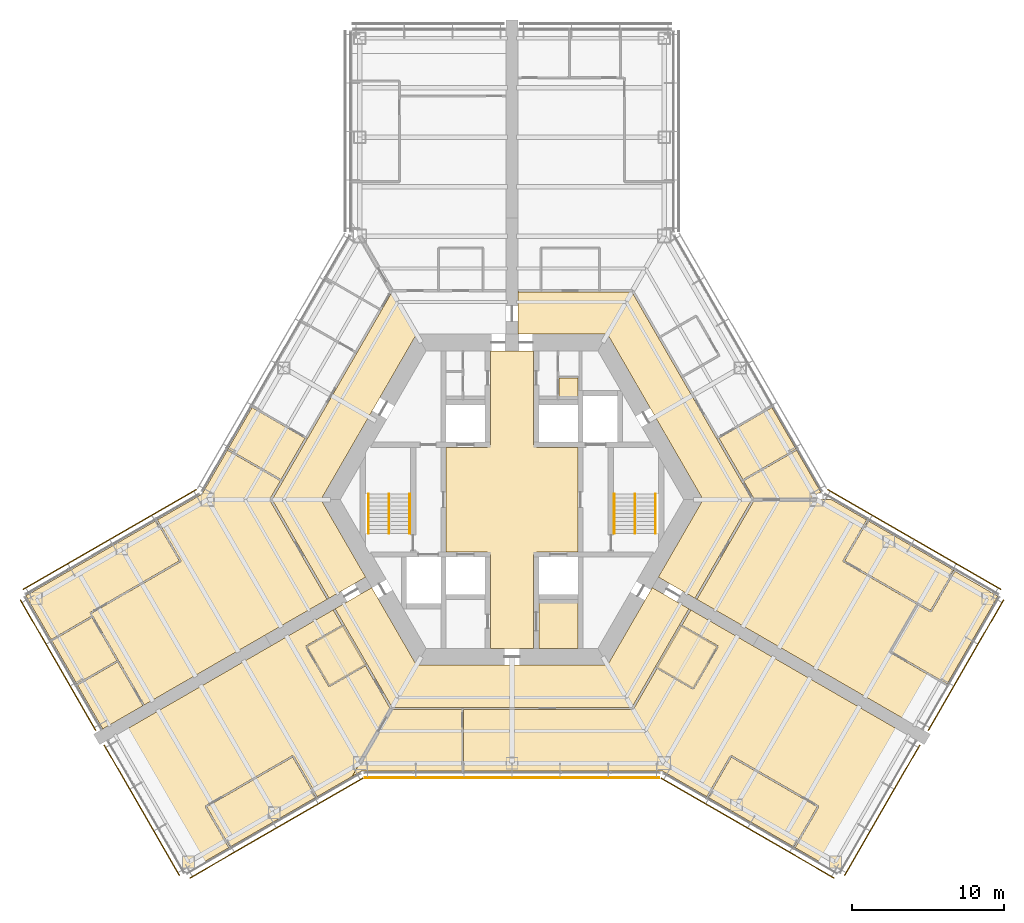
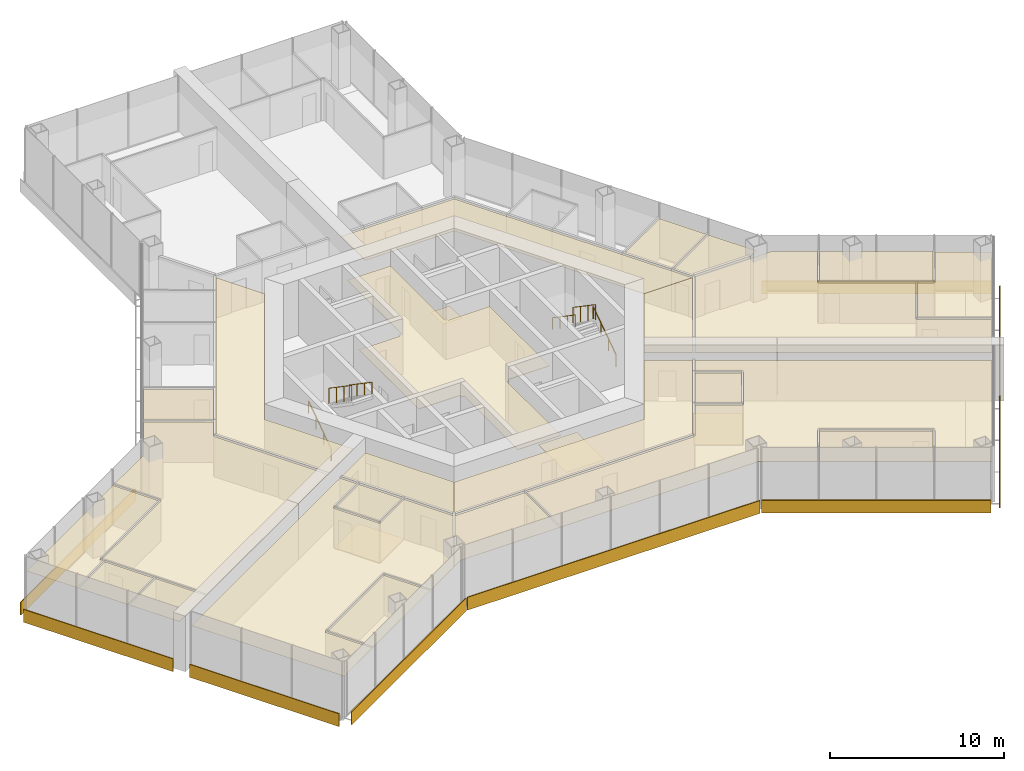
# One storey, part 18 of 19: 27 coverings, 9 shading devices, 6 railings.
"""IFC4 building model written with IfcOpenShell, lengths in metres."""

from ifc_helpers import new_model, si_unit, direction, frame, origin, origin_2d, place, context, subcontext, project, spatial, polyline, rectangle, circle, outline, extrude, material, layer, layer_set, type_object, element, save


model = new_model("IFC4")

# Units and contexts
model_context = context("Model", 3, precision=1e-05, world=origin(), true_north=direction((0.0, 1.0)))
body_context = subcontext(model_context, "Body", "Model", "MODEL_VIEW")
ifc_project = project(units=[si_unit("LENGTHUNIT", "METRE"), si_unit("AREAUNIT", "SQUARE_METRE"), si_unit("VOLUMEUNIT", "CUBIC_METRE"), si_unit("PLANEANGLEUNIT", "RADIAN"), si_unit("MASSUNIT", "GRAM", prefix="KILO")], contexts=[model_context])

# Site, building, storey
site_placement = place(None, origin())
site = spatial("IfcSite", under=ifc_project, at=site_placement, CompositionType="ELEMENT")
building_placement = place(site_placement, origin())
building = spatial("IfcBuilding", under=site, at=building_placement, Name="Kasaneha Research Tower", CompositionType="ELEMENT")
storey_placement = place(building_placement, frame((0.0, 0.0, 100.199951171875)))
storey = spatial("IfcBuildingStorey", under=building, at=storey_placement, Name="L25", CompositionType="ELEMENT", Elevation=100.199951171875)

# Covering
ifc_material_1 = material(Name="Aluminium panel ceiling", Category="aluminium")
ifc_layer_1 = layer(ifc_material_1, 0.0400390625)
ifc_layer_set_1 = layer_set([ifc_layer_1], Name="Lift lobby ceiling 40")
covering_type_1 = type_object("IfcCoveringType", Name="Lift lobby ceiling 40", PredefinedType="CEILING", material=ifc_layer_set_1)
covering_1_placement = place(storey_placement, frame((0.0, 0.0, 2.699951171875)))
element("IfcCovering", 1, at=covering_1_placement, inside=storey, type_object=covering_type_1, Name="Ceiling L25-01", PredefinedType="CEILING", context=body_context, shape_type="SweptSolid", body=[
    extrude(outline(polyline([(1.425048828125, 9.77490234375), (1.425048828125, 3.60009765625), (1.60009765625, 3.60009765625), (1.60009765625, 3.425048828125), (4.324951171875, 3.425048828125), (4.324951171875, -3.425048828125), (1.60009765625, -3.425048828125), (1.60009765625, -3.60009765625), (1.425048828125, -3.60009765625), (1.425048828125, -9.77490234375), (-1.425048828125, -9.77490234375), (-1.425048828125, -3.60009765625), (-1.60009765625, -3.60009765625), (-1.60009765625, -3.425048828125), (-4.324951171875, -3.425048828125), (-4.324951171875, 3.425048828125), (-1.60009765625, 3.425048828125), (-1.60009765625, 3.60009765625), (-1.425048828125, 3.60009765625), (-1.425048828125, 9.77490234375), (1.425048828125, 9.77490234375)])), origin(), (0.0, 0.0, 1.0), 0.0400390625),
])

# Railings
ifc_material_2 = material(Name="Steel", Category="steel")
railing_type_1 = type_object("IfcRailingType", Name="Stair balustrade 1100", PredefinedType="GUARDRAIL", material=ifc_material_2)
for number, where, name in (
    (2, (8.074951171875, 0.375, 2.12744140625), "Stair 1 balustrade L25"),
    (3, (-8.074951171875, 0.375, 2.12744140625), "Stair 2 balustrade L25"),
):
    element("IfcRailing", number, at=place(storey_placement, frame(where)), inside=storey, type_object=railing_type_1, Name=name, PredefinedType="GUARDRAIL", context=body_context, shape_type="SweptSolid", body=[
        extrude(circle(Radius=0.02392578125, at=origin_2d()), frame((0.0, 0.0, 1.076171875), z_axis=(0.0, -0.826240473404, 0.563317565952), x_axis=(1.0, 0.0, 0.0)), (0.0, 0.0, 1.0), 3.14697265625),
        extrude(circle(Radius=0.02099609375, at=origin_2d()), origin(), (0.0, 0.0, 1.0), 1.052001953125),
        extrude(circle(Radius=0.02099609375, at=origin_2d()), frame((0.0, -0.86669921875, 0.5908203125)), (0.0, 0.0, 1.0), 1.052001953125),
        extrude(circle(Radius=0.02099609375, at=origin_2d()), frame((0.0, -1.7333984375, 1.181884765625)), (0.0, 0.0, 1.0), 1.052001953125),
        extrude(circle(Radius=0.02099609375, at=origin_2d()), frame((0.0, -2.60009765625, 1.772705078125)), (0.0, 0.0, 1.0), 1.052001953125),
    ])
ifc_material_3 = material(Name="Steel", Category="steel")
railing_type_2 = type_object("IfcRailingType", Name="Stair handrail 850", PredefinedType="HANDRAIL", material=ifc_material_3)
railing_1_placement = place(storey_placement, frame((9.425048828125, -2.22509765625, 0.17724609375)))
element("IfcRailing", 4, at=railing_1_placement, inside=storey, type_object=railing_type_2, Name="Stair 1 handrail L25", PredefinedType="HANDRAIL", context=body_context, shape_type="SweptSolid", body=[
    extrude(circle(Radius=0.02392578125, at=origin_2d()), frame((0.0, 0.0, 0.826171875), z_axis=(0.0, 0.826240473404, 0.563317565952), x_axis=(-1.0, 0.0, 0.0)), (0.0, 0.0, 1.0), 3.14697265625),
    extrude(circle(Radius=0.02099609375, at=origin_2d()), origin(), (0.0, 0.0, 1.0), 0.802001953125),
    extrude(circle(Radius=0.02099609375, at=origin_2d()), frame((0.0, 0.86669921875, 0.5908203125)), (0.0, 0.0, 1.0), 0.802001953125),
    extrude(circle(Radius=0.02099609375, at=origin_2d()), frame((0.0, 1.7333984375, 1.181884765625)), (0.0, 0.0, 1.0), 0.802001953125),
    extrude(circle(Radius=0.02099609375, at=origin_2d()), frame((0.0, 2.60009765625, 1.772705078125)), (0.0, 0.0, 1.0), 0.802001953125),
])
railing_2_placement = place(storey_placement, frame((6.72509765625, 0.375, 2.12744140625)))
element("IfcRailing", 5, at=railing_2_placement, inside=storey, type_object=railing_type_2, Name="Stair 1 handrail L25", PredefinedType="HANDRAIL", context=body_context, shape_type="SweptSolid", body=[
    extrude(circle(Radius=0.02392578125, at=origin_2d()), frame((0.0, 0.0, 0.826171875), z_axis=(0.0, -0.826240473404, 0.563317565952), x_axis=(1.0, 0.0, 0.0)), (0.0, 0.0, 1.0), 3.14697265625),
    extrude(circle(Radius=0.02099609375, at=origin_2d()), origin(), (0.0, 0.0, 1.0), 0.802001953125),
    extrude(circle(Radius=0.02099609375, at=origin_2d()), frame((0.0, -0.86669921875, 0.5908203125)), (0.0, 0.0, 1.0), 0.802001953125),
    extrude(circle(Radius=0.02099609375, at=origin_2d()), frame((0.0, -1.7333984375, 1.181884765625)), (0.0, 0.0, 1.0), 0.802001953125),
    extrude(circle(Radius=0.02099609375, at=origin_2d()), frame((0.0, -2.60009765625, 1.772705078125)), (0.0, 0.0, 1.0), 0.802001953125),
])
railing_3_placement = place(storey_placement, frame((-9.425048828125, -2.22509765625, 0.17724609375)))
element("IfcRailing", 6, at=railing_3_placement, inside=storey, type_object=railing_type_2, Name="Stair 2 handrail L25", PredefinedType="HANDRAIL", context=body_context, shape_type="SweptSolid", body=[
    extrude(circle(Radius=0.02392578125, at=origin_2d()), frame((0.0, 0.0, 0.826171875), z_axis=(0.0, 0.826240473404, 0.563317565952), x_axis=(-1.0, 0.0, 0.0)), (0.0, 0.0, 1.0), 3.14697265625),
    extrude(circle(Radius=0.02099609375, at=origin_2d()), origin(), (0.0, 0.0, 1.0), 0.802001953125),
    extrude(circle(Radius=0.02099609375, at=origin_2d()), frame((0.0, 0.86669921875, 0.5908203125)), (0.0, 0.0, 1.0), 0.802001953125),
    extrude(circle(Radius=0.02099609375, at=origin_2d()), frame((0.0, 1.7333984375, 1.181884765625)), (0.0, 0.0, 1.0), 0.802001953125),
    extrude(circle(Radius=0.02099609375, at=origin_2d()), frame((0.0, 2.60009765625, 1.772705078125)), (0.0, 0.0, 1.0), 0.802001953125),
])
railing_4_placement = place(storey_placement, frame((-6.72509765625, 0.375, 2.12744140625)))
element("IfcRailing", 7, at=railing_4_placement, inside=storey, type_object=railing_type_2, Name="Stair 2 handrail L25", PredefinedType="HANDRAIL", context=body_context, shape_type="SweptSolid", body=[
    extrude(circle(Radius=0.02392578125, at=origin_2d()), frame((0.0, 0.0, 0.826171875), z_axis=(0.0, -0.826240473404, 0.563317565952), x_axis=(1.0, 0.0, 0.0)), (0.0, 0.0, 1.0), 3.14697265625),
    extrude(circle(Radius=0.02099609375, at=origin_2d()), origin(), (0.0, 0.0, 1.0), 0.802001953125),
    extrude(circle(Radius=0.02099609375, at=origin_2d()), frame((0.0, -0.86669921875, 0.5908203125)), (0.0, 0.0, 1.0), 0.802001953125),
    extrude(circle(Radius=0.02099609375, at=origin_2d()), frame((0.0, -1.7333984375, 1.181884765625)), (0.0, 0.0, 1.0), 0.802001953125),
    extrude(circle(Radius=0.02099609375, at=origin_2d()), frame((0.0, -2.60009765625, 1.772705078125)), (0.0, 0.0, 1.0), 0.802001953125),
])

# Coverings
ifc_material_4 = material(Name="Gypsum ceiling board", Category="gypsum")
ifc_layer_2 = layer(ifc_material_4, 0.02001953125)
ifc_layer_set_2 = layer_set([ifc_layer_2], Name="Suspended ceiling 20")
covering_type_2 = type_object("IfcCoveringType", Name="Suspended ceiling 20", PredefinedType="CEILING", material=ifc_layer_set_2)
covering_2_placement = place(storey_placement, frame((0.0, 0.0, 2.800048828125)))
element("IfcCovering", 8, at=covering_2_placement, inside=storey, type_object=covering_type_2, Name="Ceiling L25-26", PredefinedType="CEILING", context=body_context, shape_type="SweptSolid", body=[
    extrude(outline(polyline([(6.278564453125, 10.875), (0.39990234375, 10.875), (0.39990234375, 11.72509765625), (0.39990234375, 12.72509765625), (0.39990234375, 13.72509765625), (0.419921875, 13.72509765625), (0.419921875, 13.64990234375), (1.89501953125, 13.64990234375), (1.904541015625, 13.64990234375), (5.75244140625, 13.64990234375), (5.761962890625, 13.64990234375), (7.880859375, 13.64990234375), (9.62353515625, 10.631591796875), (9.62353515625, 10.631591796875), (11.123779296875, 8.033203125), (11.123779296875, 8.033203125), (13.446533203125, 4.009765625), (13.44677734375, 4.009765625), (15.070068359375, 1.19775390625), (15.070068359375, 1.19775390625), (15.76171875, 0.0), (15.76171875, 0.0), (12.557373046875, 0.0), (6.278564453125, 10.875)])), origin(), (0.0, 0.0, 1.0), 0.02001953125),
])
covering_3_placement = place(storey_placement, frame((0.0, 0.0, 2.800048828125)))
element("IfcCovering", 9, at=covering_3_placement, inside=storey, type_object=covering_type_2, Name="Ceiling L25-32", PredefinedType="CEILING", context=body_context, shape_type="SweptSolid", body=[
    extrude(outline(polyline([(18.662109375, 3.27734375), (18.63720703125, 3.320556640625), (15.170166015625, 1.32470703125), (13.6015625, 4.04150390625), (17.081298828125, 6.055419921875), (18.679443359375, 3.287353515625), (18.662109375, 3.27734375)])), origin(), (0.0, 0.0, 1.0), 0.02001953125),
])
covering_4_placement = place(storey_placement, frame((0.0, 0.0, 2.800048828125)))
element("IfcCovering", 10, at=covering_4_placement, inside=storey, type_object=covering_type_2, Name="Ceiling L25-33", PredefinedType="CEILING", context=body_context, shape_type="SweptSolid", body=[
    extrude(outline(polyline([(20.28759765625, 0.501708984375), (19.41845703125, 0.0), (15.84814453125, 0.0), (15.836669921875, 0.02001953125), (15.901611328125, 0.0576171875), (15.22021484375, 1.238037109375), (18.68701171875, 3.23388671875), (18.662109375, 3.27734375), (18.679443359375, 3.287353515625), (20.28759765625, 0.501708984375)])), origin(), (0.0, 0.0, 1.0), 0.02001953125),
])
covering_5_placement = place(storey_placement, frame((0.0, 0.0, 2.800048828125)))
element("IfcCovering", 11, at=covering_5_placement, inside=storey, type_object=covering_type_2, Name="Ceiling L25-40", PredefinedType="CEILING", context=body_context, shape_type="SweptSolid", body=[
    extrude(outline(polyline([(-12.557373046875, 0.0), (-9.617919921875, -5.091064453125), (-12.01025390625, -6.47216796875), (-12.086181640625, -6.51611328125), (-12.09619140625, -6.498779296875), (-12.03125, -6.461181640625), (-15.76171875, 0.0), (-15.070068359375, 1.19775390625), (-15.070068359375, 1.19775390625), (-13.44677734375, 4.009765625), (-13.446533203125, 4.009765625), (-10.20068359375, 9.632080078125), (-10.200439453125, 9.632080078125), (-8.577392578125, 12.443603515625), (-8.577392578125, 12.443603515625), (-7.880859375, 13.64990234375), (-7.880859375, 13.64990234375), (-6.278564453125, 10.875), (-12.557373046875, 0.0)])), origin(), (0.0, 0.0, 1.0), 0.02001953125),
])
covering_6_placement = place(storey_placement, frame((0.0, 0.0, 2.800048828125)))
element("IfcCovering", 12, at=covering_6_placement, inside=storey, type_object=covering_type_2, Name="Ceiling L25-41", PredefinedType="CEILING", context=body_context, shape_type="SweptSolid", body=[
    extrude(outline(polyline([(-23.332275390625, -1.36962890625), (-23.37548828125, -1.39453125), (-21.860595703125, -4.018798828125), (-27.730224609375, -7.40869140625), (-27.705322265625, -7.4521484375), (-27.705322265625, -7.4521484375), (-27.582763671875, -7.6650390625), (-27.600341796875, -7.634765625), (-30.283203125, -9.189208984375), (-30.258056640625, -9.232421875), (-30.25830078125, -9.232666015625), (-31.94189453125, -6.31689453125), (-29.075439453125, -4.661865234375), (-28.665771484375, -5.370849609375), (-29.074951171875, -4.662109375), (-23.34228515625, -1.352294921875), (-23.332275390625, -1.36962890625)])), origin(), (0.0, 0.0, 1.0), 0.02001953125),
])
covering_7_placement = place(storey_placement, frame((0.0, 0.0, 2.800048828125)))
element("IfcCovering", 13, at=covering_7_placement, inside=storey, type_object=covering_type_2, Name="Ceiling L25-42", PredefinedType="CEILING", context=body_context, shape_type="SweptSolid", body=[
    extrude(outline(polyline([(-18.679443359375, 3.287353515625), (-17.081298828125, 6.055419921875), (-13.6015625, 4.04150390625), (-15.17041015625, 1.32421875), (-18.63720703125, 3.320556640625), (-18.662109375, 3.27734375), (-18.679443359375, 3.287353515625)])), origin(), (0.0, 0.0, 1.0), 0.02001953125),
])
covering_8_placement = place(storey_placement, frame((0.0, 0.0, 2.800048828125)))
element("IfcCovering", 14, at=covering_8_placement, inside=storey, type_object=covering_type_2, Name="Ceiling L25-43", PredefinedType="CEILING", context=body_context, shape_type="SweptSolid", body=[
    extrude(outline(polyline([(-30.249755859375, -9.246826171875), (-30.23291015625, -9.27587890625), (-27.59765625, -7.748779296875), (-25.96435546875, -10.577880859375), (-28.599609375, -12.10498046875), (-30.249755859375, -9.246826171875)])), origin(), (0.0, 0.0, 1.0), 0.02001953125),
])
covering_9_placement = place(storey_placement, frame((0.0, 0.0, 2.800048828125)))
element("IfcCovering", 15, at=covering_9_placement, inside=storey, type_object=covering_type_2, Name="Ceiling L25-44", PredefinedType="CEILING", context=body_context, shape_type="SweptSolid", body=[
    extrude(outline(polyline([(-24.20654296875, -13.513916015625), (-26.891357421875, -15.063720703125), (-28.572021484375, -12.152587890625), (-28.549560546875, -12.19140625), (-25.914306640625, -10.664306640625), (-24.260009765625, -13.521484375), (-24.216796875, -13.49658203125), (-24.20654296875, -13.513916015625)])), origin(), (0.0, 0.0, 1.0), 0.02001953125),
])
covering_10_placement = place(storey_placement, frame((0.0, 0.0, 2.800048828125)))
element("IfcCovering", 16, at=covering_10_placement, inside=storey, type_object=covering_type_2, Name="Ceiling L25-47", PredefinedType="CEILING", context=body_context, shape_type="SweptSolid", body=[
    extrude(outline(polyline([(-27.705322265625, -7.4521484375), (-27.68017578125, -7.495361328125), (-21.76708984375, -4.080322265625), (-21.7919921875, -4.037353515625), (-21.791748046875, -4.037353515625), (-21.7919921875, -4.036865234375), (-21.748779296875, -4.011962890625), (-23.288818359375, -1.344482421875), (-23.331787109375, -1.369384765625), (-23.341796875, -1.35205078125), (-20.365966796875, 0.365966796875), (-18.6796875, 3.286865234375), (-18.662353515625, 3.27685546875), (-18.68701171875, 3.23388671875), (-15.220458984375, 1.237548828125), (-15.913330078125, 0.03759765625), (-15.8486328125, 0.000244140625), (-15.8486328125, -0.000244140625), (-15.8486328125, -0.000244140625), (-15.913330078125, -0.03759765625), (-12.1611328125, -6.536376953125), (-12.0966796875, -6.4990234375), (-12.086669921875, -6.516357421875), (-13.1748046875, -7.14453125), (-24.206298828125, -13.513671875), (-24.21630859375, -13.496337890625), (-24.17333984375, -13.471435546875), (-25.850341796875, -10.575439453125), (-27.533447265625, -7.65966796875), (-27.572509765625, -7.68212890625), (-27.705322265625, -7.4521484375), (-27.705322265625, -7.4521484375)])), origin(), (0.0, 0.0, 1.0), 0.02001953125),
])
covering_11_placement = place(storey_placement, frame((0.0, 0.0, 2.800048828125)))
element("IfcCovering", 17, at=covering_11_placement, inside=storey, type_object=covering_type_2, Name="Ceiling L25-49", PredefinedType="CEILING", context=body_context, shape_type="SweptSolid", body=[
    extrude(outline(polyline([(-7.880859375, -13.64990234375), (-7.880859375, -13.64990234375), (-9.5234375, -10.8046875), (-9.5234375, -10.804931640625), (-11.023681640625, -8.206298828125), (-11.023681640625, -8.206298828125), (-11.611328125, -7.188720703125), (-11.67626953125, -7.226318359375), (-11.686279296875, -7.208984375), (-9.218017578125, -5.783935546875), (-6.278564453125, -10.875), (-7.880859375, -13.64990234375)])), origin(), (0.0, 0.0, 1.0), 0.02001953125),
])
covering_12_placement = place(storey_placement, frame((0.0, 0.0, 2.800048828125)))
element("IfcCovering", 18, at=covering_12_placement, inside=storey, type_object=covering_type_2, Name="Ceiling L25-50", PredefinedType="CEILING", context=body_context, shape_type="SweptSolid", body=[
    extrude(outline(polyline([(-9.67822265625, -10.836669921875), (-11.992919921875, -12.177734375), (-13.44287109375, -9.66650390625), (-11.1240234375, -8.332763671875), (-9.67822265625, -10.836669921875)])), origin(), (0.0, 0.0, 1.0), 0.02001953125),
])
covering_13_placement = place(storey_placement, frame((0.0, 0.0, 2.800048828125)))
element("IfcCovering", 19, at=covering_13_placement, inside=storey, type_object=covering_type_2, Name="Ceiling L25-51", PredefinedType="CEILING", context=body_context, shape_type="SweptSolid", body=[
    extrude(outline(polyline([(-18.574951171875, -22.8486328125), (-18.5849609375, -22.831298828125), (-18.541748046875, -22.806396484375), (-20.056640625, -20.18212890625), (-14.410400390625, -16.92236328125), (-12.885498046875, -19.563720703125), (-12.84228515625, -19.538818359375), (-12.84228515625, -19.538818359375), (-18.574951171875, -22.8486328125)])), origin(), (0.0, 0.0, 1.0), 0.02001953125),
])
covering_14_placement = place(storey_placement, frame((0.0, 0.0, 2.800048828125)))
element("IfcCovering", 20, at=covering_14_placement, inside=storey, type_object=covering_type_2, Name="Ceiling L25-52", PredefinedType="CEILING", context=body_context, shape_type="SweptSolid", body=[
    extrude(outline(polyline([(-13.511474609375, -9.648193359375), (-13.511474609375, -9.648193359375), (-13.554443359375, -9.673095703125), (-12.054443359375, -12.271240234375), (-12.011474609375, -12.246337890625), (-12.011474609375, -12.24658203125), (-12.010986328125, -12.246337890625), (-11.986083984375, -12.28955078125), (-9.628173828125, -10.923095703125), (-8.000732421875, -13.742431640625), (-7.93603515625, -13.705322265625), (-7.92431640625, -13.725341796875), (-10.5, -18.1865234375), (-12.841796875, -19.53857421875), (-12.841796875, -19.53857421875), (-12.798828125, -19.513916015625), (-14.348876953125, -16.8291015625), (-14.39208984375, -16.85400390625), (-14.392333984375, -16.853515625), (-14.392333984375, -16.853759765625), (-14.417236328125, -16.810791015625), (-20.14990234375, -20.12060546875), (-20.125244140625, -20.16357421875), (-20.125244140625, -20.16357421875), (-20.125, -20.163818359375), (-20.168212890625, -20.18896484375), (-18.62841796875, -22.856201171875), (-18.58544921875, -22.83154296875), (-18.575439453125, -22.848876953125), (-21.44140625, -24.50341796875), (-26.491455078125, -15.756591796875), (-11.6865234375, -7.209228515625), (-11.6767578125, -7.2265625), (-11.7412109375, -7.263671875), (-11.174072265625, -8.24609375), (-13.5361328125, -9.604736328125), (-13.51123046875, -9.64794921875), (-13.511474609375, -9.648193359375)])), origin(), (0.0, 0.0, 1.0), 0.02001953125),
])
covering_15_placement = place(storey_placement, frame((0.0, 0.0, 2.800048828125)))
element("IfcCovering", 21, at=covering_15_placement, inside=storey, type_object=covering_type_2, Name="Ceiling L25-53", PredefinedType="CEILING", context=body_context, shape_type="SweptSolid", body=[
    extrude(outline(polyline([(9.617919921875, -5.091064453125), (12.557373046875, 0.0), (15.76171875, 0.0), (12.03125, -6.461181640625), (12.09619140625, -6.498779296875), (12.086181640625, -6.51611328125), (12.01025390625, -6.47216796875), (9.617919921875, -5.091064453125)])), origin(), (0.0, 0.0, 1.0), 0.02001953125),
])
covering_16_placement = place(storey_placement, frame((0.0, 0.0, 2.800048828125)))
element("IfcCovering", 22, at=covering_16_placement, inside=storey, type_object=covering_type_2, Name="Ceiling L25-54", PredefinedType="CEILING", context=body_context, shape_type="SweptSolid", body=[
    extrude(outline(polyline([(29.074951171875, -4.662109375), (29.0625, -4.68359375), (29.019287109375, -4.65869140625), (27.506591796875, -7.278564453125), (26.6962890625, -6.810546875), (26.6962890625, -6.810546875), (21.860595703125, -4.018798828125), (23.37548828125, -1.39453125), (23.332275390625, -1.36962890625), (23.34228515625, -1.352294921875), (29.074951171875, -4.662109375)])), origin(), (0.0, 0.0, 1.0), 0.02001953125),
])
covering_17_placement = place(storey_placement, frame((0.0, 0.0, 2.800048828125)))
element("IfcCovering", 23, at=covering_17_placement, inside=storey, type_object=covering_type_2, Name="Ceiling L25-55", PredefinedType="CEILING", context=body_context, shape_type="SweptSolid", body=[
    extrude(outline(polyline([(31.92626953125, -6.343017578125), (28.599609375, -12.10498046875), (24.919189453125, -9.97998046875), (26.689453125, -6.922119140625), (27.5, -7.39013671875), (27.52490234375, -7.3466796875), (27.568359375, -7.371826171875), (29.103271484375, -4.713134765625), (31.92626953125, -6.343017578125)])), origin(), (0.0, 0.0, 1.0), 0.02001953125),
])
covering_18_placement = place(storey_placement, frame((0.0, 0.0, 2.800048828125)))
element("IfcCovering", 24, at=covering_18_placement, inside=storey, type_object=covering_type_2, Name="Ceiling L25-56", PredefinedType="CEILING", context=body_context, shape_type="SweptSolid", body=[
    extrude(outline(polyline([(21.0, 0.0), (23.341796875, -1.35205078125), (23.331787109375, -1.369384765625), (23.288818359375, -1.344482421875), (21.748779296875, -4.011962890625), (21.7919921875, -4.036865234375), (21.791748046875, -4.037353515625), (21.7919921875, -4.037353515625), (21.76708984375, -4.080322265625), (26.60302734375, -6.8720703125), (24.8076171875, -9.97314453125), (24.8505859375, -9.998046875), (24.850341796875, -9.99853515625), (24.8505859375, -9.99853515625), (24.82568359375, -10.04150390625), (28.5498046875, -12.19140625), (26.891357421875, -15.063720703125), (14.937744140625, -8.162353515625), (12.086669921875, -6.516357421875), (12.0966796875, -6.4990234375), (12.1611328125, -6.536376953125), (15.901611328125, -0.0576171875), (15.837158203125, -0.020263671875), (15.848876953125, 0.0), (21.0, 0.0)])), origin(), (0.0, 0.0, 1.0), 0.02001953125),
])
covering_19_placement = place(storey_placement, frame((0.0, 0.0, 2.800048828125)))
element("IfcCovering", 25, at=covering_19_placement, inside=storey, type_object=covering_type_2, Name="Ceiling L25-57", PredefinedType="CEILING", context=body_context, shape_type="SweptSolid", body=[
    extrude(outline(polyline([(-6.278564453125, -10.875), (6.278564453125, -10.875), (9.218017578125, -5.783935546875), (11.686279296875, -7.208984375), (11.67626953125, -7.226318359375), (11.611328125, -7.188720703125), (11.023681640625, -8.206298828125), (11.023681640625, -8.206298828125), (9.423583984375, -10.97802734375), (9.42333984375, -10.97802734375), (7.880859375, -13.64990234375), (-3.241455078125, -13.64990234375), (-3.2509765625, -13.64990234375), (-7.880859375, -13.64990234375), (-6.278564453125, -10.875)])), origin(), (0.0, 0.0, 1.0), 0.02001953125),
])
covering_20_placement = place(storey_placement, frame((0.0, 0.0, 2.800048828125)))
element("IfcCovering", 26, at=covering_20_placement, inside=storey, type_object=covering_type_2, Name="Ceiling L25-58", PredefinedType="CEILING", context=body_context, shape_type="SweptSolid", body=[
    extrude(outline(polyline([(11.892822265625, -12.35107421875), (9.578369140625, -11.009765625), (11.1240234375, -8.332763671875), (13.44287109375, -9.66650390625), (11.892822265625, -12.35107421875)])), origin(), (0.0, 0.0, 1.0), 0.02001953125),
])
covering_21_placement = place(storey_placement, frame((0.0, 0.0, 2.800048828125)))
element("IfcCovering", 27, at=covering_21_placement, inside=storey, type_object=covering_type_2, Name="Ceiling L25-59", PredefinedType="CEILING", context=body_context, shape_type="SweptSolid", body=[
    extrude(outline(polyline([(12.84228515625, -19.538818359375), (12.84228515625, -19.538818359375), (12.885498046875, -19.563720703125), (14.410400390625, -16.92236328125), (20.056640625, -20.18212890625), (18.541748046875, -22.806396484375), (18.5849609375, -22.831298828125), (18.574951171875, -22.8486328125), (12.84228515625, -19.538818359375)])), origin(), (0.0, 0.0, 1.0), 0.02001953125),
])
covering_22_placement = place(storey_placement, frame((0.0, 0.0, 2.800048828125)))
element("IfcCovering", 28, at=covering_22_placement, inside=storey, type_object=covering_type_2, Name="Ceiling L25-60", PredefinedType="CEILING", context=body_context, shape_type="SweptSolid", body=[
    extrude(outline(polyline([(-10.50048828125, -18.1865234375), (-7.924560546875, -13.72509765625), (-7.90087890625, -13.72509765625), (-7.90087890625, -13.800048828125), (-3.30078125, -13.800048828125), (-3.29638671875, -17.800537109375), (-3.246337890625, -17.800537109375), (-3.246337890625, -17.820556640625), (-9.865966796875, -17.821044921875), (-10.50048828125, -18.1865234375)])), origin(), (0.0, 0.0, 1.0), 0.02001953125),
])
covering_23_placement = place(storey_placement, frame((0.0, 0.0, 2.800048828125)))
element("IfcCovering", 29, at=covering_23_placement, inside=storey, type_object=covering_type_2, Name="Ceiling L25-61", PredefinedType="CEILING", context=body_context, shape_type="SweptSolid", body=[
    extrude(outline(polyline([(7.92431640625, -13.7255859375), (7.92431640625, -13.72509765625), (7.989013671875, -13.762451171875), (9.5283203125, -11.096435546875), (11.885986328125, -12.462646484375), (11.910888671875, -12.419677734375), (11.911376953125, -12.419921875), (11.911376953125, -12.419677734375), (11.954345703125, -12.4443359375), (13.554443359375, -9.673095703125), (13.511474609375, -9.648193359375), (13.511474609375, -9.648193359375), (13.51123046875, -9.64794921875), (13.5361328125, -9.604736328125), (11.174072265625, -8.24609375), (11.7412109375, -7.263671875), (11.6767578125, -7.2265625), (11.6865234375, -7.209228515625), (26.491455078125, -15.756591796875), (21.44140625, -24.50341796875), (18.575439453125, -22.848876953125), (18.58544921875, -22.83154296875), (18.62841796875, -22.856201171875), (20.168212890625, -20.18896484375), (20.125, -20.1640625), (20.125244140625, -20.16357421875), (20.125244140625, -20.16357421875), (20.14990234375, -20.12060546875), (14.417236328125, -16.810791015625), (14.392333984375, -16.853759765625), (14.392333984375, -16.853759765625), (14.39208984375, -16.85400390625), (14.348876953125, -16.8291015625), (12.798828125, -19.513916015625), (12.841796875, -19.53857421875), (12.841796875, -19.53857421875), (9.865966796875, -17.820556640625), (-3.245849609375, -17.820556640625), (-3.245849609375, -17.800537109375), (-3.1962890625, -17.800537109375), (-3.200927734375, -13.800048828125), (7.924072265625, -13.800048828125), (7.924072265625, -13.7255859375), (7.92431640625, -13.7255859375)])), origin(), (0.0, 0.0, 1.0), 0.02001953125),
])

# Shading devices
ifc_material_5 = material(Name="Terracotta", Category="masonry")
ifc_layer_3 = layer(ifc_material_5, 0.06005859375)
ifc_layer_set_3 = layer_set([ifc_layer_3], Name="Terracotta baguette screen")
shading_device_type = type_object("IfcShadingDeviceType", Name="Terracotta baguette screen", PredefinedType="USERDEFINED", material=ifc_layer_set_3)
shading_device_1_placement = place(storey_placement, frame((-15.483642578125, -21.58349609375, -0.449951171875), z_axis=(0.0, 0.0, 1.0), x_axis=(0.866025411464, 0.499999986699, 0.0)))
element("IfcShadingDevice", 30, at=shading_device_1_placement, inside=storey, type_object=shading_device_type, Name="Baguette screen L25 01", ObjectType="TERRACOTTA BAGUETTE SCREEN", PredefinedType="USERDEFINED", context=body_context, shape_type="SweptSolid", body=[
    extrude(rectangle(XDim=13.13916015625, YDim=0.06005859375, at=origin_2d()), origin(), (0.0, 0.0, 1.0), 0.89990234375),
])
shading_device_2_placement = place(storey_placement, frame((0.0, -18.2705078125, -0.449951171875), z_axis=(0.0, 0.0, 1.0), x_axis=(1.0, 0.0, 0.0)))
element("IfcShadingDevice", 31, at=shading_device_2_placement, inside=storey, type_object=shading_device_type, Name="Baguette screen L25 02", ObjectType="TERRACOTTA BAGUETTE SCREEN", PredefinedType="USERDEFINED", context=body_context, shape_type="SweptSolid", body=[
    extrude(rectangle(XDim=19.37841796875, YDim=0.06005859375, at=origin_2d()), origin(), (0.0, 0.0, 1.0), 0.89990234375),
])
shading_device_3_placement = place(storey_placement, frame((15.483642578125, -21.58349609375, -0.449951171875), z_axis=(0.0, 0.0, 1.0), x_axis=(0.866025411464, -0.499999986699, 0.0)))
element("IfcShadingDevice", 32, at=shading_device_3_placement, inside=storey, type_object=shading_device_type, Name="Baguette screen L25 03", ObjectType="TERRACOTTA BAGUETTE SCREEN", PredefinedType="USERDEFINED", context=body_context, shape_type="SweptSolid", body=[
    extrude(rectangle(XDim=13.13916015625, YDim=0.06005859375, at=origin_2d()), origin(), (0.0, 0.0, 1.0), 0.89990234375),
])
for number, where, z_axis, x_axis, name in (
    (33, (24.3310546875, -20.3984375, -0.449951171875), (0.0, 0.0, 1.0), (0.500000011442, 0.866025397178, 0.0), "Baguette screen L25 04"),
    (34, (29.8310546875, -10.8720703125, -0.449951171875), (0.0, 0.0, 1.0), (0.500000011442, 0.866025397178, 0.0), "Baguette screen L25 05"),
):
    element("IfcShadingDevice", number, at=place(storey_placement, frame(where, z_axis=z_axis, x_axis=x_axis)), inside=storey, type_object=shading_device_type, Name=name, ObjectType="TERRACOTTA BAGUETTE SCREEN", PredefinedType="USERDEFINED", context=body_context, shape_type="SweptSolid", body=[
        extrude(rectangle(XDim=9.89990234375, YDim=0.06005859375, at=origin_2d()), origin(), (0.0, 0.0, 1.0), 0.89990234375),
    ])
for number, where, z_axis, x_axis, name in (
    (35, (26.43359375, -2.617431640625, -0.449951171875), (0.0, 0.0, 1.0), (-0.866025411464, 0.499999986699, 0.0), "Baguette screen L25 06"),
    (36, (-26.43359375, -2.617431640625, -0.449951171875), (0.0, 0.0, 1.0), (-0.866025411464, -0.499999986699, 0.0), "Baguette screen L25 13"),
):
    element("IfcShadingDevice", number, at=place(storey_placement, frame(where, z_axis=z_axis, x_axis=x_axis)), inside=storey, type_object=shading_device_type, Name=name, ObjectType="TERRACOTTA BAGUETTE SCREEN", PredefinedType="USERDEFINED", context=body_context, shape_type="SweptSolid", body=[
        extrude(rectangle(XDim=13.13916015625, YDim=0.06005859375, at=origin_2d()), origin(), (0.0, 0.0, 1.0), 0.89990234375),
    ])
for number, where, z_axis, x_axis, name in (
    (37, (-29.8310546875, -10.8720703125, -0.449951171875), (0.0, 0.0, 1.0), (0.500000011442, -0.866025397178, 0.0), "Baguette screen L25 14"),
    (38, (-24.3310546875, -20.3984375, -0.449951171875), (0.0, 0.0, 1.0), (0.500000011442, -0.866025397178, 0.0), "Baguette screen L25 15"),
):
    element("IfcShadingDevice", number, at=place(storey_placement, frame(where, z_axis=z_axis, x_axis=x_axis)), inside=storey, type_object=shading_device_type, Name=name, ObjectType="TERRACOTTA BAGUETTE SCREEN", PredefinedType="USERDEFINED", context=body_context, shape_type="SweptSolid", body=[
        extrude(rectangle(XDim=9.89990234375, YDim=0.06005859375, at=origin_2d()), origin(), (0.0, 0.0, 1.0), 0.89990234375),
    ])

# Coverings
ifc_material_6 = material(Name="Vinyl sheet flooring", Category="plastic")
ifc_layer_4 = layer(ifc_material_6, 0.0048828125)
ifc_layer_set_4 = layer_set([ifc_layer_4], Name="Wet room sheet flooring 5")
covering_type_3 = type_object("IfcCoveringType", Name="Wet room sheet flooring 5", PredefinedType="FLOORING", material=ifc_layer_set_4)
covering_24_placement = place(storey_placement, origin())
element("IfcCovering", 39, at=covering_24_placement, inside=storey, type_object=covering_type_3, Name="Floor finish L25-10", PredefinedType="FLOORING", context=body_context, shape_type="SweptSolid", body=[
    extrude(outline(polyline([(3.074951171875, 6.574951171875), (3.074951171875, 7.9951171875), (4.324951171875, 7.9951171875), (4.324951171875, 7.0), (4.324951171875, 6.574951171875), (3.074951171875, 6.574951171875)])), origin(), (0.0, 0.0, 1.0), 0.005126953125),
])
covering_25_placement = place(storey_placement, origin())
element("IfcCovering", 40, at=covering_25_placement, inside=storey, type_object=covering_type_3, Name="Floor finish L25-13", PredefinedType="FLOORING", context=body_context, shape_type="SweptSolid", body=[
    extrude(outline(polyline([(1.77490234375, -9.77490234375), (1.77490234375, -6.574951171875), (4.324951171875, -6.574951171875), (4.324951171875, -9.77490234375), (1.77490234375, -9.77490234375)])), origin(), (0.0, 0.0, 1.0), 0.005126953125),
])
covering_26_placement = place(storey_placement, origin())
element("IfcCovering", 41, at=covering_26_placement, inside=storey, type_object=covering_type_3, Name="Floor finish L25-50", PredefinedType="FLOORING", context=body_context, shape_type="SweptSolid", body=[
    extrude(outline(polyline([(-12.010986328125, -12.246337890625), (-13.510986328125, -9.648193359375), (-11.086181640625, -8.248046875), (-9.586181640625, -10.84619140625), (-12.010986328125, -12.246337890625)])), origin(), (0.0, 0.0, 1.0), 0.005126953125),
])
covering_27_placement = place(storey_placement, origin())
element("IfcCovering", 42, at=covering_27_placement, inside=storey, type_object=covering_type_3, Name="Floor finish L25-58", PredefinedType="FLOORING", context=body_context, shape_type="SweptSolid", body=[
    extrude(outline(polyline([(13.510986328125, -9.648193359375), (11.9111328125, -12.41943359375), (9.486083984375, -11.01953125), (11.086181640625, -8.248046875), (13.510986328125, -9.648193359375)])), origin(), (0.0, 0.0, 1.0), 0.005126953125),
])

save(model, "model.ifc")
